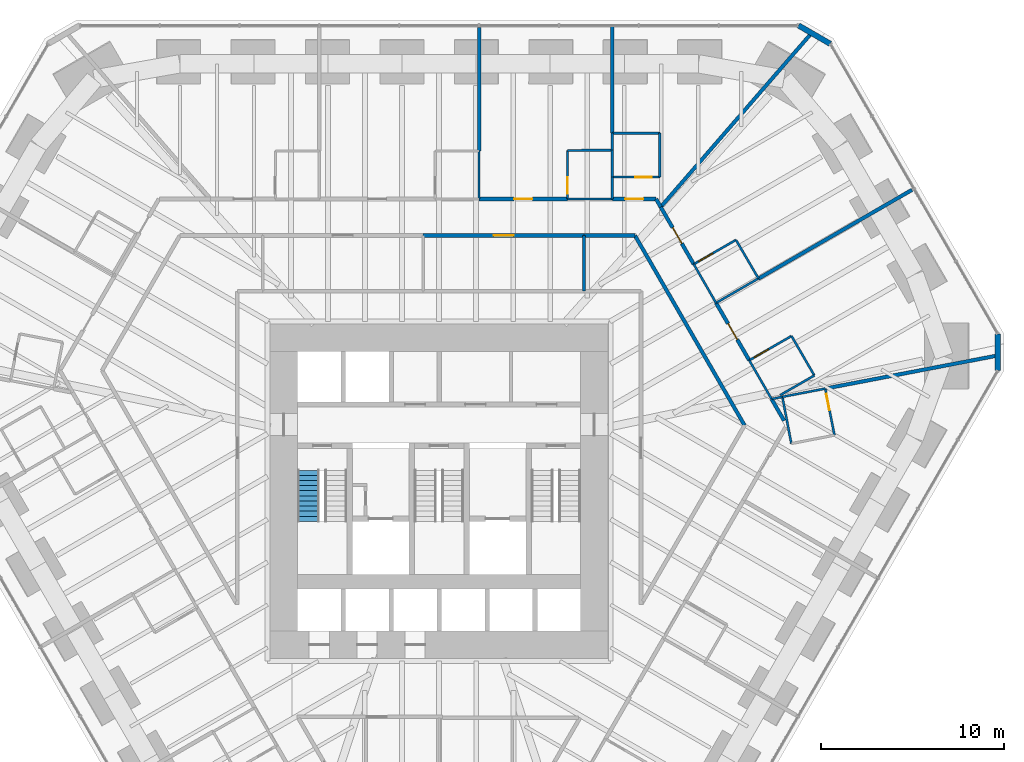
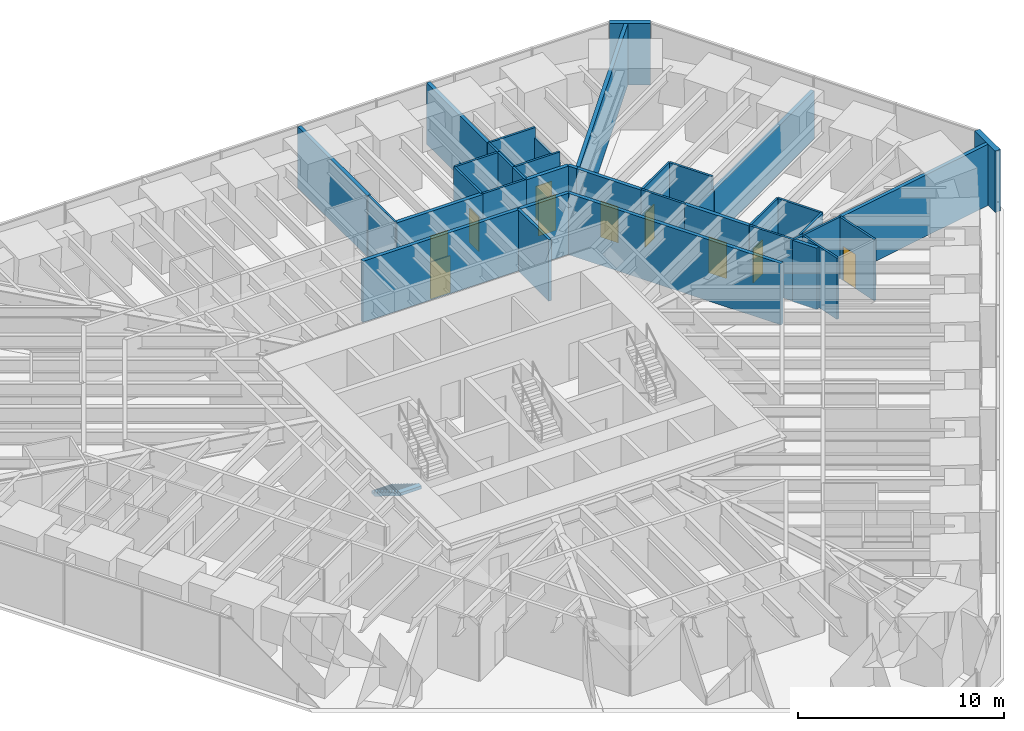
# One storey, part 15 of 17: 39 walls, 10 doors, 1 stair flight, 10 openings, 1 element without a shape of its own.
"""IFC4 building model written with IfcOpenShell, lengths in metres."""

from ifc_helpers import new_model, si_unit, direction, frame, frame_2d, origin, place, context, subcontext, project, spatial, polyline, rectangle, outline, extrude, material, layer, layer_set, type_object, element, fill, aggregate, save


model = new_model("IFC4")

# Units and contexts
model_context = context("Model", 3, precision=1e-05, world=origin(), true_north=direction((0.0, 1.0)))
body_context = subcontext(model_context, "Body", "Model", "MODEL_VIEW")
ifc_project = project(units=[si_unit("LENGTHUNIT", "METRE"), si_unit("AREAUNIT", "SQUARE_METRE"), si_unit("VOLUMEUNIT", "CUBIC_METRE"), si_unit("PLANEANGLEUNIT", "RADIAN"), si_unit("MASSUNIT", "GRAM", prefix="KILO")], contexts=[model_context])

# Site, building, storey
site_placement = place(None, origin())
site = spatial("IfcSite", under=ifc_project, at=site_placement, CompositionType="ELEMENT")
building_placement = place(site_placement, origin())
building = spatial("IfcBuilding", under=site, at=building_placement, Name="Sandreach Pilgrim Tower", CompositionType="ELEMENT")
storey_placement = place(building_placement, frame((0.0, 0.0, 76.199951171875)))
storey = spatial("IfcBuildingStorey", under=building, at=storey_placement, Name="L18", CompositionType="ELEMENT", Elevation=76.199951171875)

# Walls
ifc_material_1 = material(Name="Gypsum board on steel studs", Category="steel")
ifc_layer_1 = layer(ifc_material_1, 0.14990234375)
ifc_layer_set_1 = layer_set([ifc_layer_1], Name="Back of house wall 150")
wall_type_1 = type_object("IfcWallType", Name="Back of house wall 150", PredefinedType="PARTITIONING", material=ifc_layer_set_1)
wall_1_placement = place(storey_placement, frame((7.929931640625, 12.449951171875, 0.0), z_axis=(0.0, 0.0, 1.0), x_axis=(0.0, -1.0, 0.0)))
element("IfcWall", 1, at=wall_1_placement, inside=storey, type_object=wall_type_1, Name="Back of house wall L18-098", PredefinedType="PARTITIONING", context=body_context, shape_type="SweptSolid", body=[
    extrude(rectangle(XDim=3.050048828125, YDim=0.14990234375, at=frame_2d((1.52490234375, 0.0))), origin(), (0.0, 0.0, 1.0), 3.64013671875),
])
ifc_material_2 = material(Name="Moisture-resistant gypsum board on steel studs", Category="steel")
ifc_layer_2 = layer(ifc_material_2, 0.1201171875)
ifc_layer_set_2 = layer_set([ifc_layer_2], Name="Bathroom partition 120")
wall_type_2 = type_object("IfcWallType", Name="Bathroom partition 120", PredefinedType="PARTITIONING", material=ifc_layer_set_2)
wall_2_placement = place(storey_placement, frame((2.18994140625, 17.070068359375, 0.0), z_axis=(0.0, 0.0, 1.0), x_axis=(0.0, -1.0, 0.0)))
element("IfcWall", 2, at=wall_2_placement, inside=storey, type_object=wall_type_2, Name="Bathroom partition L18-079", PredefinedType="PARTITIONING", context=body_context, shape_type="SweptSolid", body=[
    extrude(rectangle(XDim=2.6201171875, YDim=0.1201171875, at=frame_2d((1.31005859375, 0.0))), origin(), (0.0, 0.0, 1.0), 3.64013671875),
])

# Wall, opening, door
wall_3_placement = place(storey_placement, frame((7.02001953125, 17.110107421875, 0.0), z_axis=(0.0, 0.0, 1.0), x_axis=(0.003762822113, -0.99999292056, 0.0)))
wall_3 = element("IfcWall", 3, at=wall_3_placement, inside=storey, type_object=wall_type_2, Name="Bathroom partition L18-090", PredefinedType="PARTITIONING", context=body_context, shape_type="SweptSolid", body=[
    extrude(rectangle(XDim=2.66015625, YDim=0.1201171875, at=frame_2d((1.330078125, 0.0))), origin(), (0.0, 0.0, 1.0), 3.64013671875),
])
opening_1_placement = place(wall_3_placement, frame((1.4599609375, 0.0, 0.0)))
opening_1 = element("IfcOpeningElement", 4, at=opening_1_placement, cuts=wall_3, Name="Opening D09-03B", PredefinedType="OPENING", context=body_context, shape_type="SweptSolid", body=[
    extrude(rectangle(XDim=0.89990234375, YDim=2.030029296875, at=frame_2d((0.449951171875, 1.01513671875))), frame((0.0, 0.06005859375, 0.0), z_axis=(0.0, -1.0, 0.0), x_axis=(1.0, 0.0, 0.0)), (0.0, 0.0, 1.0), 0.1201171875),
])
ifc_material_3 = material(Name="Timber door, steel frame", Category="steel")
door_type_1 = type_object("IfcDoorType", Name="Bathroom door", OperationType="SINGLE_SWING_LEFT", PredefinedType="DOOR", material=ifc_material_3)
door_1_placement = place(opening_1_placement, origin())
door_1 = element("IfcDoor", 5, at=door_1_placement, inside=storey, type_object=door_type_1, Name="Door 1803B", OperationType="SINGLE_SWING_RIGHT", OverallHeight=2.030029296875, OverallWidth=0.89990234375, PredefinedType="DOOR", context=body_context, shape_type="SweptSolid", body=[
    extrude(rectangle(XDim=0.89990234375, YDim=2.030029296875, at=frame_2d((0.449951171875, 1.01513671875))), frame((0.0, 0.02490234375, 0.0), z_axis=(0.0, -1.0, 0.0), x_axis=(1.0, 0.0, 0.0)), (0.0, 0.0, 1.0), 0.050048828125),
])
fill(opening_1, door_1)

# Walls
wall_4_placement = place(storey_placement, frame((9.47998046875, 14.449951171875, 0.0), z_axis=(0.0, 0.0, 1.0), x_axis=(-1.0, 0.0, 0.0)))
element("IfcWall", 6, at=wall_4_placement, inside=storey, type_object=wall_type_2, Name="Bathroom partition L18-103", PredefinedType="PARTITIONING", context=body_context, shape_type="SweptSolid", body=[
    extrude(rectangle(XDim=2.449951171875, YDim=0.1201171875, at=frame_2d((1.22509765625, 0.0))), origin(), (0.0, 0.0, 1.0), 3.64013671875),
])
wall_5_placement = place(storey_placement, frame((9.47998046875, 15.64990234375, 0.0), z_axis=(0.0, 0.0, 1.0), x_axis=(0.0, -1.0, 0.0)))
element("IfcWall", 7, at=wall_5_placement, inside=storey, type_object=wall_type_2, Name="Bathroom partition L18-104", PredefinedType="PARTITIONING", context=body_context, shape_type="SweptSolid", body=[
    extrude(rectangle(XDim=1.199951171875, YDim=0.1201171875, at=frame_2d((0.60009765625, 0.0))), origin(), (0.0, 0.0, 1.0), 3.64013671875),
])

# Wall, opening, door
wall_6_placement = place(storey_placement, frame((9.47998046875, 15.64990234375, 0.0), z_axis=(0.0, 0.0, 1.0), x_axis=(1.0, 0.0, 0.0)))
wall_6 = element("IfcWall", 8, at=wall_6_placement, inside=storey, type_object=wall_type_2, Name="Bathroom partition L18-105", PredefinedType="PARTITIONING", context=body_context, shape_type="SweptSolid", body=[
    extrude(rectangle(XDim=2.60009765625, YDim=0.1201171875, at=frame_2d((1.300048828125, 0.0))), origin(), (0.0, 0.0, 1.0), 3.64013671875),
])
opening_2_placement = place(wall_6_placement, frame((1.25, 0.0, 0.0)))
opening_2 = element("IfcOpeningElement", 9, at=opening_2_placement, cuts=wall_6, Name="Opening D09-04B", PredefinedType="OPENING", context=body_context, shape_type="SweptSolid", body=[
    extrude(rectangle(XDim=0.89990234375, YDim=2.030029296875, at=frame_2d((0.449951171875, 1.01513671875))), frame((0.0, 0.06005859375, 0.0), z_axis=(0.0, -1.0, 0.0), x_axis=(1.0, 0.0, 0.0)), (0.0, 0.0, 1.0), 0.1201171875),
])
door_2_placement = place(opening_2_placement, origin())
door_2 = element("IfcDoor", 10, at=door_2_placement, inside=storey, type_object=door_type_1, Name="Door 1804B", OperationType="SINGLE_SWING_RIGHT", OverallHeight=2.030029296875, OverallWidth=0.89990234375, PredefinedType="DOOR", context=body_context, shape_type="SweptSolid", body=[
    extrude(rectangle(XDim=0.89990234375, YDim=2.030029296875, at=frame_2d((0.449951171875, 1.01513671875))), frame((0.0, 0.02490234375, 0.0), z_axis=(0.0, -1.0, 0.0), x_axis=(1.0, 0.0, 0.0)), (0.0, 0.0, 1.0), 0.050048828125),
])
fill(opening_2, door_2)

# Walls
wall_7_placement = place(storey_placement, frame((9.47998046875, 17.1201171875, 0.0), z_axis=(0.0, 0.0, 1.0), x_axis=(-0.999991721417, -0.004069041344, 0.0)))
element("IfcWall", 11, at=wall_7_placement, inside=storey, type_object=wall_type_2, Name="Bathroom partition L18-106", PredefinedType="PARTITIONING", context=body_context, shape_type="SweptSolid", body=[
    extrude(rectangle(XDim=2.4599609375, YDim=0.1201171875, at=frame_2d((1.22998046875, 0.0))), origin(), (0.0, 0.0, 1.0), 3.64013671875),
])
wall_8_placement = place(storey_placement, frame((9.47998046875, 17.1201171875, 0.0), z_axis=(0.0, 0.0, 1.0), x_axis=(0.0, -1.0, 0.0)))
element("IfcWall", 12, at=wall_8_placement, inside=storey, type_object=wall_type_2, Name="Bathroom partition L18-107", PredefinedType="PARTITIONING", context=body_context, shape_type="SweptSolid", body=[
    extrude(rectangle(XDim=1.47021484375, YDim=0.1201171875, at=frame_2d((0.735107421875, 0.0))), origin(), (0.0, 0.0, 1.0), 3.64013671875),
])
wall_9_placement = place(storey_placement, frame((9.47998046875, 18.050048828125, 0.0), z_axis=(0.0, 0.0, 1.0), x_axis=(0.0, -1.0, 0.0)))
element("IfcWall", 13, at=wall_9_placement, inside=storey, type_object=wall_type_2, Name="Bathroom partition L18-108", PredefinedType="PARTITIONING", context=body_context, shape_type="SweptSolid", body=[
    extrude(rectangle(XDim=0.929931640625, YDim=0.1201171875, at=frame_2d((0.46484375, 0.0))), origin(), (0.0, 0.0, 1.0), 3.64013671875),
])
wall_10_placement = place(storey_placement, frame((12.080078125, 15.64990234375, 0.0), z_axis=(0.0, 0.0, 1.0), x_axis=(0.0, 1.0, 0.0)))
element("IfcWall", 14, at=wall_10_placement, inside=storey, type_object=wall_type_2, Name="Bathroom partition L18-122", PredefinedType="PARTITIONING", context=body_context, shape_type="SweptSolid", body=[
    extrude(rectangle(XDim=2.400146484375, YDim=0.1201171875, at=frame_2d((1.2001953125, 0.0))), origin(), (0.0, 0.0, 1.0), 3.0380859375),
])
wall_11_placement = place(storey_placement, frame((12.080078125, 18.050048828125, 0.0), z_axis=(0.0, 0.0, 1.0), x_axis=(-1.0, 0.0, 0.0)))
element("IfcWall", 15, at=wall_11_placement, inside=storey, type_object=wall_type_2, Name="Bathroom partition L18-123", PredefinedType="PARTITIONING", context=body_context, shape_type="SweptSolid", body=[
    extrude(rectangle(XDim=2.60009765625, YDim=0.1201171875, at=frame_2d((1.300048828125, 0.0))), origin(), (0.0, 0.0, 1.0), 3.64013671875),
])
wall_12_placement = place(storey_placement, frame((13.93994140625, 10.8798828125, 0.0), z_axis=(0.0, 0.0, 1.0), x_axis=(0.498791783817, -0.866721844883, 0.0)))
element("IfcWall", 16, at=wall_12_placement, inside=storey, type_object=wall_type_2, Name="Bathroom partition L18-128", PredefinedType="PARTITIONING", context=body_context, shape_type="SweptSolid", body=[
    extrude(rectangle(XDim=2.44580078125, YDim=0.1201171875, at=frame_2d((1.222900390625, 0.0))), origin(), (0.0, 0.0, 1.0), 3.64013671875),
])
wall_13_placement = place(storey_placement, frame((15.159912109375, 8.760009765625, 0.0), z_axis=(0.0, 0.0, 1.0), x_axis=(0.865929097586, 0.500166770141, 0.0)))
element("IfcWall", 17, at=wall_13_placement, inside=storey, type_object=wall_type_2, Name="Bathroom partition L18-132", PredefinedType="PARTITIONING", context=body_context, shape_type="SweptSolid", body=[
    extrude(rectangle(XDim=2.67919921875, YDim=0.1201171875, at=frame_2d((1.339599609375, 0.0))), origin(), (0.0, 0.0, 1.0), 2.8603515625),
])

# Wall, opening, door
wall_14_placement = place(storey_placement, frame((16.25, 12.2099609375, 0.0), z_axis=(0.0, 0.0, 1.0), x_axis=(-0.866654860089, -0.498908161372, 0.0)))
wall_14 = element("IfcWall", 18, at=wall_14_placement, inside=storey, type_object=wall_type_2, Name="Bathroom partition L18-134", PredefinedType="PARTITIONING", context=body_context, shape_type="SweptSolid", body=[
    extrude(rectangle(XDim=2.66552734375, YDim=0.1201171875, at=frame_2d((1.332763671875, 0.0))), origin(), (0.0, 0.0, 1.0), 3.64013671875),
])
opening_3_placement = place(wall_14_placement, frame((1.465576171875, 0.0, 0.0)))
opening_3 = element("IfcOpeningElement", 19, at=opening_3_placement, cuts=wall_14, Name="Opening D09-05B", PredefinedType="OPENING", context=body_context, shape_type="SweptSolid", body=[
    extrude(rectangle(XDim=0.89990234375, YDim=2.030029296875, at=frame_2d((0.449951171875, 1.01513671875))), frame((0.0, 0.06005859375, 0.0), z_axis=(0.0, -1.0, 0.0), x_axis=(1.0, 0.0, 0.0)), (0.0, 0.0, 1.0), 0.1201171875),
])
door_3_placement = place(opening_3_placement, origin())
door_3 = element("IfcDoor", 20, at=door_3_placement, inside=storey, type_object=door_type_1, Name="Door 1805B", OperationType="SINGLE_SWING_RIGHT", OverallHeight=2.030029296875, OverallWidth=0.89990234375, PredefinedType="DOOR", context=body_context, shape_type="SweptSolid", body=[
    extrude(rectangle(XDim=0.89990234375, YDim=2.030029296875, at=frame_2d((0.449951171875, 1.01513671875))), frame((0.0, 0.02490234375, 0.0), z_axis=(0.0, -1.0, 0.0), x_axis=(1.0, 0.0, 0.0)), (0.0, 0.0, 1.0), 0.050048828125),
])
fill(opening_3, door_3)

# Walls
wall_15_placement = place(storey_placement, frame((16.97802734375, 5.618896484375, 0.0), z_axis=(0.0, 0.0, 1.0), x_axis=(0.499489120551, -0.866320159324, 0.0)))
element("IfcWall", 21, at=wall_15_placement, inside=storey, type_object=wall_type_2, Name="Bathroom partition L18-137", PredefinedType="PARTITIONING", context=body_context, shape_type="SweptSolid", body=[
    extrude(rectangle(XDim=2.44580078125, YDim=0.1201171875, at=frame_2d((1.222900390625, 0.0))), origin(), (0.0, 0.0, 1.0), 3.64013671875),
])
wall_16_placement = place(storey_placement, frame((17.47998046875, 10.10009765625, 0.0), z_axis=(0.0, 0.0, 1.0), x_axis=(-0.503634814725, 0.863916647251, 0.0)))
element("IfcWall", 22, at=wall_16_placement, inside=storey, type_object=wall_type_2, Name="Bathroom partition L18-138", PredefinedType="PARTITIONING", context=body_context, shape_type="SweptSolid", body=[
    extrude(rectangle(XDim=2.442138671875, YDim=0.1201171875, at=frame_2d((1.22119140625, 0.0))), origin(), (0.0, 0.0, 1.0), 3.64013671875),
])
wall_17_placement = place(storey_placement, frame((18.234375, 3.507080078125, 0.0), z_axis=(0.0, 0.0, 1.0), x_axis=(0.979929535319, 0.199344189303, 0.0)))
element("IfcWall", 23, at=wall_17_placement, inside=storey, type_object=wall_type_2, Name="Bathroom partition L18-140", PredefinedType="PARTITIONING", context=body_context, shape_type="SweptSolid", body=[
    extrude(rectangle(XDim=0.567138671875, YDim=0.1201171875, at=frame_2d((0.28369140625, 0.0))), origin(), (0.0, 0.0, 1.0), 3.64013671875),
])
wall_18_placement = place(storey_placement, frame((18.67333984375, 3.714599609375, 0.0), z_axis=(0.0, 0.0, 1.0), x_axis=(0.866487294122, 0.499199127728, 0.0)))
element("IfcWall", 24, at=wall_18_placement, inside=storey, type_object=wall_type_2, Name="Bathroom partition L18-141", PredefinedType="PARTITIONING", context=body_context, shape_type="SweptSolid", body=[
    extrude(rectangle(XDim=2.154296875, YDim=0.1201171875, at=frame_2d((1.0771484375, 0.0))), origin(), (0.0, 0.0, 1.0), 3.64013671875),
])
wall_19_placement = place(storey_placement, frame((18.7900390625, 3.6201171875, 0.0), z_axis=(0.0, 0.0, 1.0), x_axis=(0.187985762814, -0.982171753299, 0.0)))
element("IfcWall", 25, at=wall_19_placement, inside=storey, type_object=wall_type_2, Name="Bathroom partition L18-142", PredefinedType="PARTITIONING", context=body_context, shape_type="SweptSolid", body=[
    extrude(rectangle(XDim=2.6064453125, YDim=0.1201171875, at=frame_2d((1.30322265625, 0.0))), origin(), (0.0, 0.0, 1.0), 3.64013671875),
])
wall_20_placement = place(storey_placement, frame((18.7900390625, 3.6201171875, 0.0), z_axis=(0.0, 0.0, 1.0), x_axis=(0.982156796014, 0.188063893512, 0.0)))
element("IfcWall", 26, at=wall_20_placement, inside=storey, type_object=wall_type_2, Name="Bathroom partition L18-143", PredefinedType="PARTITIONING", context=body_context, shape_type="SweptSolid", body=[
    extrude(rectangle(XDim=2.392578125, YDim=0.1201171875, at=frame_2d((1.1962890625, 0.0))), origin(), (0.0, 0.0, 1.0), 3.64013671875),
])

# Wall, opening, door
wall_21_placement = place(storey_placement, frame((19.2900390625, 6.949951171875, 0.0), z_axis=(0.0, 0.0, 1.0), x_axis=(-0.866654860089, -0.498908161372, 0.0)))
wall_21 = element("IfcWall", 27, at=wall_21_placement, inside=storey, type_object=wall_type_2, Name="Bathroom partition L18-145", PredefinedType="PARTITIONING", context=body_context, shape_type="SweptSolid", body=[
    extrude(rectangle(XDim=2.66552734375, YDim=0.1201171875, at=frame_2d((1.332763671875, 0.0))), origin(), (0.0, 0.0, 1.0), 3.64013671875),
])
opening_4_placement = place(wall_21_placement, frame((1.465576171875, 0.0, 0.0)))
opening_4 = element("IfcOpeningElement", 28, at=opening_4_placement, cuts=wall_21, Name="Opening D09-06B", PredefinedType="OPENING", context=body_context, shape_type="SweptSolid", body=[
    extrude(rectangle(XDim=0.89990234375, YDim=2.030029296875, at=frame_2d((0.449951171875, 1.01513671875))), frame((0.0, 0.06005859375, 0.0), z_axis=(0.0, -1.0, 0.0), x_axis=(1.0, 0.0, 0.0)), (0.0, 0.0, 1.0), 0.1201171875),
])
door_4_placement = place(opening_4_placement, origin())
door_4 = element("IfcDoor", 29, at=door_4_placement, inside=storey, type_object=door_type_1, Name="Door 1806B", OperationType="SINGLE_SWING_RIGHT", OverallHeight=2.030029296875, OverallWidth=0.89990234375, PredefinedType="DOOR", context=body_context, shape_type="SweptSolid", body=[
    extrude(rectangle(XDim=0.89990234375, YDim=2.030029296875, at=frame_2d((0.449951171875, 1.01513671875))), frame((0.0, 0.02490234375, 0.0), z_axis=(0.0, -1.0, 0.0), x_axis=(1.0, 0.0, 0.0)), (0.0, 0.0, 1.0), 0.050048828125),
])
fill(opening_4, door_4)

# Wall
wall_22_placement = place(storey_placement, frame((20.5400390625, 4.7900390625, 0.0), z_axis=(0.0, 0.0, 1.0), x_axis=(-0.500893576935, 0.865508881864, 0.0)))
element("IfcWall", 30, at=wall_22_placement, inside=storey, type_object=wall_type_2, Name="Bathroom partition L18-147", PredefinedType="PARTITIONING", context=body_context, shape_type="SweptSolid", body=[
    extrude(rectangle(XDim=2.49560546875, YDim=0.1201171875, at=frame_2d((1.247802734375, 0.0))), origin(), (0.0, 0.0, 1.0), 3.64013671875),
])

# Wall, opening, door
wall_23_placement = place(storey_placement, frame((21.639892578125, 1.52001953125, 0.0), z_axis=(0.0, 0.0, 1.0), x_axis=(-0.192410912787, 0.981314445344, 0.0)))
wall_23 = element("IfcWall", 31, at=wall_23_placement, inside=storey, type_object=wall_type_2, Name="Bathroom partition L18-149", PredefinedType="PARTITIONING", context=body_context, shape_type="SweptSolid", body=[
    extrude(rectangle(XDim=2.5986328125, YDim=0.1201171875, at=frame_2d((1.29931640625, 0.0))), origin(), (0.0, 0.0, 1.0), 3.64013671875),
])
opening_5_placement = place(wall_23_placement, frame((1.398681640625, 0.0, 0.0)))
opening_5 = element("IfcOpeningElement", 32, at=opening_5_placement, cuts=wall_23, Name="Opening D09-07B", PredefinedType="OPENING", context=body_context, shape_type="SweptSolid", body=[
    extrude(rectangle(XDim=0.89990234375, YDim=2.030029296875, at=frame_2d((0.449951171875, 1.01513671875))), frame((0.0, 0.06005859375, 0.0), z_axis=(0.0, -1.0, 0.0), x_axis=(1.0, 0.0, 0.0)), (0.0, 0.0, 1.0), 0.1201171875),
])
door_5_placement = place(opening_5_placement, origin())
door_5 = element("IfcDoor", 33, at=door_5_placement, inside=storey, type_object=door_type_1, Name="Door 1807B", OperationType="SINGLE_SWING_RIGHT", OverallHeight=2.030029296875, OverallWidth=0.89990234375, PredefinedType="DOOR", context=body_context, shape_type="SweptSolid", body=[
    extrude(rectangle(XDim=0.89990234375, YDim=2.030029296875, at=frame_2d((0.449951171875, 1.01513671875))), frame((0.0, 0.02490234375, 0.0), z_axis=(0.0, -1.0, 0.0), x_axis=(1.0, 0.0, 0.0)), (0.0, 0.0, 1.0), 0.050048828125),
])
fill(opening_5, door_5)

ifc_material_4 = material(Name="Gypsum board on steel studs, two layers each side", Category="steel")
ifc_layer_3 = layer(ifc_material_4, 0.199951171875)
ifc_layer_set_3 = layer_set([ifc_layer_3], Name="Corridor wall 200")
wall_type_3 = type_object("IfcWallType", Name="Corridor wall 200", PredefinedType="PARTITIONING", material=ifc_layer_set_3)
wall_24_placement = place(storey_placement, frame((-0.8701171875, 12.449951171875, 0.0), z_axis=(0.0, 0.0, 1.0), x_axis=(1.0, 0.0, 0.0)))
wall_24 = element("IfcWall", 34, at=wall_24_placement, inside=storey, type_object=wall_type_3, Name="Corridor wall L18-065", PredefinedType="PARTITIONING", context=body_context, shape_type="SweptSolid", body=[
    extrude(rectangle(XDim=8.800048828125, YDim=0.199951171875, at=frame_2d((4.39990234375, 0.0))), origin(), (0.0, 0.0, 1.0), 3.64013671875),
])
opening_6_placement = place(wall_24_placement, frame((3.85009765625, 0.0, 0.0)))
opening_6 = element("IfcOpeningElement", 35, at=opening_6_placement, cuts=wall_24, Name="Opening D11H-M03", PredefinedType="OPENING", context=body_context, shape_type="SweptSolid", body=[
    extrude(rectangle(XDim=1.10009765625, YDim=2.199951171875, at=frame_2d((0.550048828125, 1.10009765625))), frame((0.0, 0.10009765625, 0.0), z_axis=(0.0, -1.0, 0.0), x_axis=(1.0, 0.0, 0.0)), (0.0, 0.0, 1.0), 0.199951171875),
])
ifc_material_5 = material(Name="Steel door and frame", Category="steel")
door_type_2 = type_object("IfcDoorType", Name="Back of house door", OperationType="SINGLE_SWING_LEFT", PredefinedType="DOOR", material=ifc_material_5)
door_6_placement = place(opening_6_placement, origin())
door_6 = element("IfcDoor", 36, at=door_6_placement, inside=storey, type_object=door_type_2, Name="Door 18M03", OperationType="SINGLE_SWING_LEFT", OverallHeight=2.199951171875, OverallWidth=1.10009765625, PredefinedType="DOOR", context=body_context, shape_type="SweptSolid", body=[
    extrude(rectangle(XDim=1.10009765625, YDim=2.199951171875, at=frame_2d((0.550048828125, 1.10009765625))), frame((0.0, 0.02490234375, 0.0), z_axis=(0.0, -1.0, 0.0), x_axis=(1.0, 0.0, 0.0)), (0.0, 0.0, 1.0), 0.050048828125),
])
fill(opening_6, door_6)

wall_25_placement = place(storey_placement, frame((7.030029296875, 14.449951171875, 0.0), z_axis=(0.0, 0.0, 1.0), x_axis=(-1.0, 0.0, 0.0)))
wall_25 = element("IfcWall", 37, at=wall_25_placement, inside=storey, type_object=wall_type_3, Name="Corridor wall L18-091", PredefinedType="PARTITIONING", context=body_context, shape_type="SweptSolid", body=[
    extrude(rectangle(XDim=4.840087890625, YDim=0.199951171875, at=frame_2d((2.419921875, 0.0))), origin(), (0.0, 0.0, 1.0), 3.64013671875),
])
opening_7_placement = place(wall_25_placement, frame((1.919921875, 0.0, 0.0)))
opening_7 = element("IfcOpeningElement", 38, at=opening_7_placement, cuts=wall_25, Name="Opening D10-03", PredefinedType="OPENING", context=body_context, shape_type="SweptSolid", body=[
    extrude(rectangle(XDim=1.0, YDim=2.1298828125, at=frame_2d((0.5, 1.06494140625))), frame((0.0, 0.10009765625, 0.0), z_axis=(0.0, -1.0, 0.0), x_axis=(1.0, 0.0, 0.0)), (0.0, 0.0, 1.0), 0.199951171875),
])
ifc_material_6 = material(Name="Steel door and frame", Category="steel")
door_type_3 = type_object("IfcDoorType", Name="Guest room entry door", OperationType="SINGLE_SWING_LEFT", PredefinedType="DOOR", material=ifc_material_6)
door_7_placement = place(opening_7_placement, origin())
door_7 = element("IfcDoor", 39, at=door_7_placement, inside=storey, type_object=door_type_3, Name="Door 1803", OperationType="SINGLE_SWING_LEFT", OverallHeight=2.1298828125, OverallWidth=1.0, PredefinedType="DOOR", context=body_context, shape_type="SweptSolid", body=[
    extrude(rectangle(XDim=1.0, YDim=2.1298828125, at=frame_2d((0.5, 1.06494140625))), frame((0.0, 0.02490234375, 0.0), z_axis=(0.0, -1.0, 0.0), x_axis=(1.0, 0.0, 0.0)), (0.0, 0.0, 1.0), 0.050048828125),
])
fill(opening_7, door_7)

# Walls
wall_26_placement = place(storey_placement, frame((7.929931640625, 12.449951171875, 0.0), z_axis=(0.0, 0.0, 1.0), x_axis=(1.0, 0.0, 0.0)))
element("IfcWall", 40, at=wall_26_placement, inside=storey, type_object=wall_type_3, Name="Corridor wall L18-099", PredefinedType="PARTITIONING", context=body_context, shape_type="SweptSolid", body=[
    extrude(rectangle(XDim=2.7900390625, YDim=0.199951171875, at=frame_2d((1.39501953125, 0.0))), origin(), (0.0, 0.0, 1.0), 3.64013671875),
])
wall_27_placement = place(storey_placement, frame((10.719970703125, 12.449951171875, 0.0), z_axis=(0.0, 0.0, 1.0), x_axis=(0.500087057827, -0.86597513509, 0.0)))
element("IfcWall", 41, at=wall_27_placement, inside=storey, type_object=wall_type_3, Name="Corridor wall L18-115", PredefinedType="PARTITIONING", context=body_context, shape_type="SweptSolid", body=[
    extrude(rectangle(XDim=11.997802734375, YDim=0.199951171875, at=frame_2d((5.9990234375, 0.0))), origin(), (0.0, 0.0, 1.0), 3.64013671875),
])

# Wall, opening, door
wall_28_placement = place(storey_placement, frame((11.8798828125, 14.449951171875, 0.0), z_axis=(0.0, 0.0, 1.0), x_axis=(-1.0, 0.0, 0.0)))
wall_28 = element("IfcWall", 42, at=wall_28_placement, inside=storey, type_object=wall_type_3, Name="Corridor wall L18-120", PredefinedType="PARTITIONING", context=body_context, shape_type="SweptSolid", body=[
    extrude(rectangle(XDim=2.39990234375, YDim=0.199951171875, at=frame_2d((1.199951171875, 0.0))), origin(), (0.0, 0.0, 1.0), 3.64013671875),
])
opening_8_placement = place(wall_28_placement, frame((0.699951171875, 0.0, 0.0)))
opening_8 = element("IfcOpeningElement", 43, at=opening_8_placement, cuts=wall_28, Name="Opening D10-04", PredefinedType="OPENING", context=body_context, shape_type="SweptSolid", body=[
    extrude(rectangle(XDim=1.0, YDim=2.1298828125, at=frame_2d((0.5, 1.06494140625))), frame((0.0, 0.10009765625, 0.0), z_axis=(0.0, -1.0, 0.0), x_axis=(1.0, 0.0, 0.0)), (0.0, 0.0, 1.0), 0.199951171875),
])
door_8_placement = place(opening_8_placement, origin())
door_8 = element("IfcDoor", 44, at=door_8_placement, inside=storey, type_object=door_type_3, Name="Door 1804", OperationType="SINGLE_SWING_LEFT", OverallHeight=2.1298828125, OverallWidth=1.0, PredefinedType="DOOR", context=body_context, shape_type="SweptSolid", body=[
    extrude(rectangle(XDim=1.0, YDim=2.1298828125, at=frame_2d((0.5, 1.06494140625))), frame((0.0, 0.02490234375, 0.0), z_axis=(0.0, -1.0, 0.0), x_axis=(1.0, 0.0, 0.0)), (0.0, 0.0, 1.0), 0.050048828125),
])
fill(opening_8, door_8)

# Wall
wall_29_placement = place(storey_placement, frame((11.8798828125, 14.449951171875, 0.0), z_axis=(0.0, 0.0, 1.0), x_axis=(0.494423721727, -0.869221021026, 0.0)))
element("IfcWall", 45, at=wall_29_placement, inside=storey, type_object=wall_type_3, Name="Corridor wall L18-121", PredefinedType="PARTITIONING", context=body_context, shape_type="SweptSolid", body=[
    extrude(rectangle(XDim=0.506103515625, YDim=0.199951171875, at=frame_2d((0.2529296875, 0.0))), origin(), (0.0, 0.0, 1.0), 3.64013671875),
])

# Wall, opening, door
wall_30_placement = place(storey_placement, frame((12.1298828125, 14.010009765625, 0.0), z_axis=(0.0, 0.0, 1.0), x_axis=(0.500597042564, -0.865680426587, 0.0)))
wall_30 = element("IfcWall", 46, at=wall_30_placement, inside=storey, type_object=wall_type_3, Name="Corridor wall L18-124", PredefinedType="PARTITIONING", context=body_context, shape_type="SweptSolid", body=[
    extrude(rectangle(XDim=3.61572265625, YDim=0.199951171875, at=frame_2d((1.807861328125, 0.0))), origin(), (0.0, 0.0, 1.0), 3.64013671875),
])
opening_9_placement = place(wall_30_placement, frame((1.307861328125, 0.0, 0.0)))
opening_9 = element("IfcOpeningElement", 47, at=opening_9_placement, cuts=wall_30, Name="Opening D10-05", PredefinedType="OPENING", context=body_context, shape_type="SweptSolid", body=[
    extrude(rectangle(XDim=1.0, YDim=2.1298828125, at=frame_2d((0.5, 1.06494140625))), frame((0.0, 0.10009765625, 0.0), z_axis=(0.0, -1.0, 0.0), x_axis=(1.0, 0.0, 0.0)), (0.0, 0.0, 1.0), 0.199951171875),
])
door_9_placement = place(opening_9_placement, origin())
door_9 = element("IfcDoor", 48, at=door_9_placement, inside=storey, type_object=door_type_3, Name="Door 1805", OperationType="SINGLE_SWING_LEFT", OverallHeight=2.1298828125, OverallWidth=1.0, PredefinedType="DOOR", context=body_context, shape_type="SweptSolid", body=[
    extrude(rectangle(XDim=1.0, YDim=2.1298828125, at=frame_2d((0.5, 1.06494140625))), frame((0.0, 0.02490234375, 0.0), z_axis=(0.0, -1.0, 0.0), x_axis=(1.0, 0.0, 0.0)), (0.0, 0.0, 1.0), 0.050048828125),
])
fill(opening_9, door_9)

wall_31_placement = place(storey_placement, frame((15.159912109375, 8.760009765625, 0.0), z_axis=(0.0, 0.0, 1.0), x_axis=(0.500948763063, -0.865476941799, 0.0)))
wall_31 = element("IfcWall", 49, at=wall_31_placement, inside=storey, type_object=wall_type_3, Name="Corridor wall L18-131", PredefinedType="PARTITIONING", context=body_context, shape_type="SweptSolid", body=[
    extrude(rectangle(XDim=3.62939453125, YDim=0.199951171875, at=frame_2d((1.814697265625, 0.0))), origin(), (0.0, 0.0, 1.0), 3.64013671875),
])
opening_10_placement = place(wall_31_placement, frame((1.314697265625, 0.0, 0.0)))
opening_10 = element("IfcOpeningElement", 50, at=opening_10_placement, cuts=wall_31, Name="Opening D10-06", PredefinedType="OPENING", context=body_context, shape_type="SweptSolid", body=[
    extrude(rectangle(XDim=1.0, YDim=2.1298828125, at=frame_2d((0.5, 1.06494140625))), frame((0.0, 0.10009765625, 0.0), z_axis=(0.0, -1.0, 0.0), x_axis=(1.0, 0.0, 0.0)), (0.0, 0.0, 1.0), 0.199951171875),
])
door_10_placement = place(opening_10_placement, origin())
door_10 = element("IfcDoor", 51, at=door_10_placement, inside=storey, type_object=door_type_3, Name="Door 1806", OperationType="SINGLE_SWING_LEFT", OverallHeight=2.1298828125, OverallWidth=1.0, PredefinedType="DOOR", context=body_context, shape_type="SweptSolid", body=[
    extrude(rectangle(XDim=1.0, YDim=2.1298828125, at=frame_2d((0.5, 1.06494140625))), frame((0.0, 0.02490234375, 0.0), z_axis=(0.0, -1.0, 0.0), x_axis=(1.0, 0.0, 0.0)), (0.0, 0.0, 1.0), 0.050048828125),
])
fill(opening_10, door_10)

# Walls
wall_32_placement = place(storey_placement, frame((18.19970703125, 3.5, 0.0), z_axis=(0.0, 0.0, 1.0), x_axis=(0.499583827826, -0.866265547609, 0.0)))
element("IfcWall", 52, at=wall_32_placement, inside=storey, type_object=wall_type_3, Name="Corridor wall L18-139", PredefinedType="PARTITIONING", context=body_context, shape_type="SweptSolid", body=[
    extrude(rectangle(XDim=1.372314453125, YDim=0.199951171875, at=frame_2d((0.68603515625, 0.0))), origin(), (0.0, 0.0, 1.0), 3.64013671875),
])
ifc_material_7 = material(Name="Double steel stud acoustic wall, gypsum board", Category="steel")
ifc_layer_4 = layer(ifc_material_7, 0.199951171875)
ifc_layer_set_4 = layer_set([ifc_layer_4], Name="Party wall 200")
wall_type_4 = type_object("IfcWallType", Name="Party wall 200", PredefinedType="PARTITIONING", material=ifc_layer_set_4)
wall_33_placement = place(storey_placement, frame((2.18994140625, 23.830078125, 0.0), z_axis=(0.0, 0.0, 1.0), x_axis=(0.0, -1.0, 0.0)))
element("IfcWall", 53, at=wall_33_placement, inside=storey, type_object=wall_type_4, Name="Party wall L18-080", PredefinedType="PARTITIONING", context=body_context, shape_type="SweptSolid", body=[
    extrude(rectangle(XDim=6.760009765625, YDim=0.199951171875, at=frame_2d((3.3798828125, 0.0))), origin(), (0.0, 0.0, 1.0), 3.64013671875),
])
wall_34_placement = place(storey_placement, frame((9.47998046875, 23.919921875, 0.0), z_axis=(0.0, 0.0, 1.0), x_axis=(0.0, -1.0, 0.0)))
element("IfcWall", 54, at=wall_34_placement, inside=storey, type_object=wall_type_4, Name="Party wall L18-109", PredefinedType="PARTITIONING", context=body_context, shape_type="SweptSolid", body=[
    extrude(rectangle(XDim=5.869873046875, YDim=0.199951171875, at=frame_2d((2.93505859375, 0.0))), origin(), (0.0, 0.0, 1.0), 3.64013671875),
])
wall_35_placement = place(storey_placement, frame((20.400390625, 23.54736328125, 0.0), z_axis=(0.0, 0.0, 1.0), x_axis=(-0.655141271043, -0.755506396383, 0.0)))
element("IfcWall", 55, at=wall_35_placement, inside=storey, type_object=wall_type_4, Name="Party wall L18-146", PredefinedType="PARTITIONING", context=body_context, shape_type="SweptSolid", body=[
    extrude(rectangle(XDim=12.56884765625, YDim=0.199951171875, at=frame_2d((6.284423828125, 0.0))), origin(), (0.0, 0.0, 1.0), 3.64013671875),
])
wall_36_placement = place(storey_placement, frame((21.1396484375, 4.072265625, 0.0), z_axis=(0.0, 0.0, 1.0), x_axis=(0.982111792438, 0.188298770982, 0.0)))
element("IfcWall", 56, at=wall_36_placement, inside=storey, type_object=wall_type_4, Name="Party wall L18-148", PredefinedType="PARTITIONING", context=body_context, shape_type="SweptSolid", body=[
    extrude(rectangle(XDim=9.623046875, YDim=0.199951171875, at=frame_2d((4.8115234375, 0.0))), origin(), (0.0, 0.0, 1.0), 3.64013671875),
])
wall_37_placement = place(storey_placement, frame((25.88623046875, 14.949951171875, 0.0), z_axis=(0.0, 0.0, 1.0), x_axis=(-0.865734831114, -0.500502949238, 0.0)))
element("IfcWall", 57, at=wall_37_placement, inside=storey, type_object=wall_type_4, Name="Party wall L18-151", PredefinedType="PARTITIONING", context=body_context, shape_type="SweptSolid", body=[
    extrude(rectangle(XDim=9.7099609375, YDim=0.199951171875, at=frame_2d((4.85498046875, 0.0))), origin(), (0.0, 0.0, 1.0), 2.8603515625),
])
ifc_material_8 = material(Name="Terracotta rainscreen on concrete", Category="masonry")
ifc_layer_5 = layer(ifc_material_8, 0.300048828125)
ifc_layer_set_5 = layer_set([ifc_layer_5], Name="Terracotta chamfer pier")
wall_type_5 = type_object("IfcWallType", Name="Terracotta chamfer pier", PredefinedType="SOLIDWALL", material=ifc_layer_set_5)
for number, where, z_axis, x_axis, name in (
    (58, (19.672119140625, 23.94873046875, 0.0), (0.0, 0.0, 1.0), (0.866010750942, -0.50002537861, 0.0), "Chamfer pier L18 N"),
    (59, (30.576171875, 7.062255859375, 0.0), (0.0, 0.0, 1.0), (0.0, -1.0, 0.0), "Chamfer pier L18 NE"),
):
    element("IfcWall", number, at=place(storey_placement, frame(where, z_axis=z_axis, x_axis=x_axis)), inside=storey, type_object=wall_type_5, Name=name, PredefinedType="SOLIDWALL", context=body_context, shape_type="SweptSolid", body=[
        extrude(rectangle(XDim=2.0, YDim=0.300048828125, at=frame_2d((1.0, 0.0))), origin(), (0.0, 0.0, 1.0), 3.64013671875),
    ])

# Stair, stair flight
ifc_material_9 = material(Name="Concrete 8000 psi", Category="concrete")
stair_type = type_object("IfcStairType", Name="Core exit stair", PredefinedType="HALF_TURN_STAIR", material=ifc_material_9)
stair_placement = place(storey_placement, origin())
stair = element("IfcStair", 60, at=stair_placement, inside=storey, type_object=stair_type, Name="Exit stair ST1 L18", PredefinedType="HALF_TURN_STAIR")
ifc_material_10 = material(Name="Concrete 8000 psi", Category="concrete")
stair_flight_type = type_object("IfcStairFlightType", Name="Core stair flight 1200", PredefinedType="STRAIGHT", material=ifc_material_10)
stair_flight_placement = place(storey_placement, frame((-7.14990234375, -0.39990234375, 0.0), z_axis=(0.0, 0.0, 1.0), x_axis=(0.0, -1.0, 0.0)))
stair_flight = element("IfcStairFlight", 61, at=stair_flight_placement, type_object=stair_flight_type, Name="ST1 flight 1", NumberOfRisers=11, NumberOfTreads=10, PredefinedType="STRAIGHT", RiserHeight=0.172727273, TreadLength=0.28, context=body_context, shape_type="SweptSolid", body=[
    extrude(outline(polyline([(0.0, 0.0), (0.0, 0.172607421875), (0.280029296875, 0.172607421875), (0.280029296875, 0.345458984375), (0.56005859375, 0.345458984375), (0.56005859375, 0.51806640625), (0.840087890625, 0.51806640625), (0.840087890625, 0.69091796875), (1.1201171875, 0.69091796875), (1.1201171875, 0.863525390625), (1.39990234375, 0.863525390625), (1.39990234375, 1.036376953125), (1.679931640625, 1.036376953125), (1.679931640625, 1.208984375), (1.9599609375, 1.208984375), (1.9599609375, 1.3818359375), (2.239990234375, 1.3818359375), (2.239990234375, 1.554443359375), (2.52001953125, 1.554443359375), (2.52001953125, 1.727294921875), (2.800048828125, 1.727294921875), (2.800048828125, 1.89990234375), (2.800048828125, 1.551025390625), (0.285400390625, 0.0), (0.0, 0.0)])), frame((0.0, 0.60009765625, 0.0), z_axis=(0.0, -1.0, 0.0), x_axis=(1.0, 0.0, 0.0)), (0.0, 0.0, 1.0), 1.199951171875),
])
aggregate(stair, [stair_flight])

save(model, "model.ifc")
